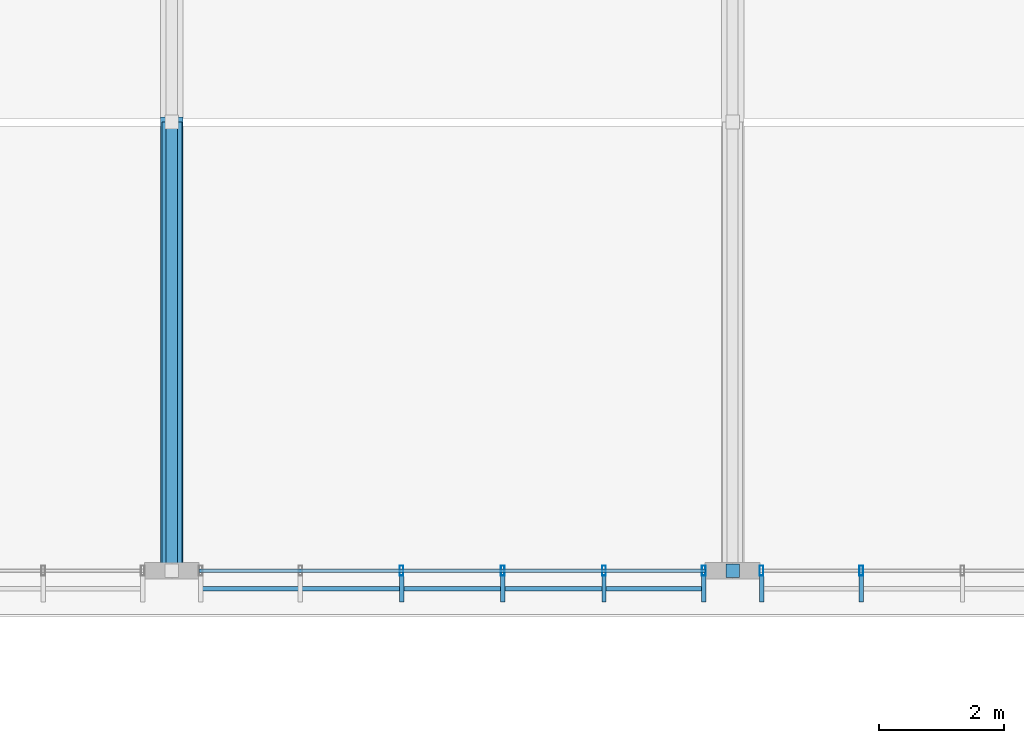
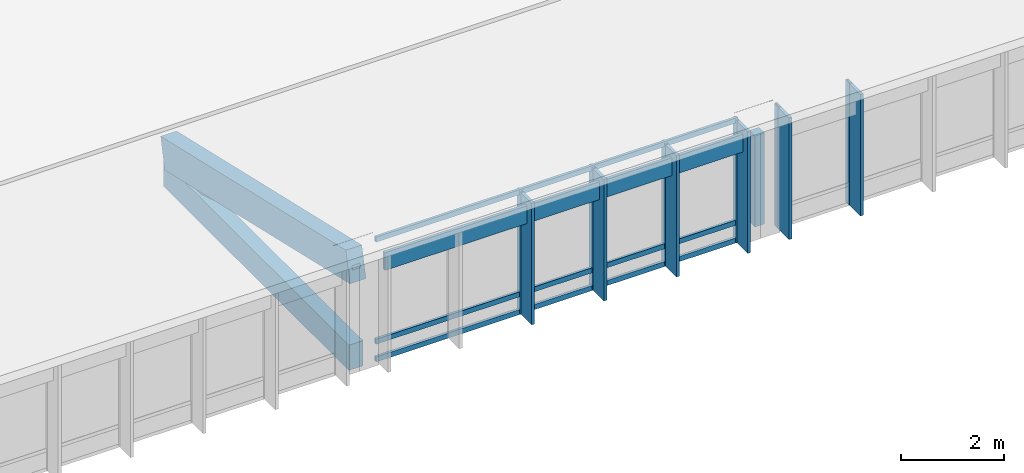
# One storey, part 48 of 182: 20 members, 2 elements without a shape of their own.
"""IFC4 building model written with IfcOpenShell, lengths in metres."""

from ifc_helpers import new_model, si_unit, direction, frame, origin, origin_2d, place, context, subcontext, project, spatial, rectangle, hollow_rectangle, extrude, material, material_profile, profile_set, type_object, element, aggregate, save


model = new_model("IFC4")

# Units and contexts
model_context = context("Model", 3, precision=1e-05, world=origin(), true_north=direction((0.0, 1.0)))
body_context = subcontext(model_context, "Body", "Model", "MODEL_VIEW")
ifc_project = project(units=[si_unit("LENGTHUNIT", "METRE"), si_unit("AREAUNIT", "SQUARE_METRE"), si_unit("VOLUMEUNIT", "CUBIC_METRE"), si_unit("PLANEANGLEUNIT", "RADIAN"), si_unit("MASSUNIT", "GRAM", prefix="KILO")], contexts=[model_context])

# Site, building, storey
site_placement = place(None, origin())
site = spatial("IfcSite", under=ifc_project, at=site_placement, CompositionType="ELEMENT")
building_placement = place(site_placement, origin())
building = spatial("IfcBuilding", under=site, at=building_placement, Name="Chiffa Square Polytechnic", CompositionType="ELEMENT")
storey_placement = place(building_placement, frame((0.0, 0.0, 9.60009765625)))
storey = spatial("IfcBuildingStorey", under=building, at=storey_placement, Name="L02", CompositionType="ELEMENT", Elevation=9.60009765625)

# Curtain wall, members
ifc_material_1 = material(Name="Aluminium EN AW-6060 T66 and glulam shading", Category="wood")
curtain_wall_type_1 = type_object("IfcCurtainWallType", Name="CW-VERT-600X380", PredefinedType="USERDEFINED", material=ifc_material_1)
curtain_wall_1_placement = place(storey_placement, origin())
curtain_wall_1 = element("IfcCurtainWall", 1, at=curtain_wall_1_placement, inside=storey, type_object=curtain_wall_type_1, Name="Curtain wall CW-V4-CLRS-04", ObjectType="CURTAIN WALL", PredefinedType="USERDEFINED")
ifc_material_2 = material(Name="Aluminium EN AW-6060 T66", Category="aluminium")
ifc_material_profile_1 = material_profile(ifc_material_2, hollow_rectangle(XDim=0.06005859375, YDim=0.159912109375, WallThickness=0.00390625, at=origin_2d()), Name="ALU 60x160x4")
ifc_profile_set_1 = profile_set([ifc_material_profile_1], Name="Aluminium EN AW-6060 T66")
member_type_1 = type_object("IfcMemberType", Name="CWM-ALU-65X150", PredefinedType="MULLION", material=ifc_profile_set_1)
member_1_placement = place(storey_placement, frame((79.2880859375, 21.60009765625, 0.039794921875), z_axis=(0.0, 0.0, 1.0), x_axis=(1.0, 0.0, 0.0)))
member_1 = element("IfcMember", 2, at=member_1_placement, type_object=member_type_1, Name="Curtain wall mullion CW-V4-CLRS-04-M02", PredefinedType="MULLION", context=body_context, shape_type="SweptSolid", body=[
    extrude(hollow_rectangle(XDim=0.06005859375, YDim=0.159912109375, WallThickness=0.00390625, at=origin_2d()), origin(), (0.0, 0.0, 1.0), 2.902099609375),
])
member_2_placement = place(storey_placement, frame((80.912109375, 21.60009765625, 0.039794921875), z_axis=(0.0, 0.0, 1.0), x_axis=(1.0, 0.0, 0.0)))
member_2 = element("IfcMember", 3, at=member_2_placement, type_object=member_type_1, Name="Curtain wall mullion CW-V4-CLRS-04-M03", PredefinedType="MULLION", context=body_context, shape_type="SweptSolid", body=[
    extrude(hollow_rectangle(XDim=0.06005859375, YDim=0.159912109375, WallThickness=0.00390625, at=origin_2d()), origin(), (0.0, 0.0, 1.0), 2.902099609375),
])
member_3_placement = place(storey_placement, frame((82.535888671875, 21.60009765625, 0.039794921875), z_axis=(0.0, 0.0, 1.0), x_axis=(1.0, 0.0, 0.0)))
member_3 = element("IfcMember", 4, at=member_3_placement, type_object=member_type_1, Name="Curtain wall mullion CW-V4-CLRS-04-M04", PredefinedType="MULLION", context=body_context, shape_type="SweptSolid", body=[
    extrude(hollow_rectangle(XDim=0.06005859375, YDim=0.159912109375, WallThickness=0.00390625, at=origin_2d()), origin(), (0.0, 0.0, 1.0), 2.902099609375),
])
member_4_placement = place(storey_placement, frame((84.135009765625, 21.60009765625, 0.039794921875), z_axis=(0.0, 0.0, 1.0), x_axis=(1.0, 0.0, 0.0)))
member_4 = element("IfcMember", 5, at=member_4_placement, type_object=member_type_1, Name="Curtain wall mullion CW-V4-CLRS-04-M05", PredefinedType="MULLION", context=body_context, shape_type="SweptSolid", body=[
    extrude(hollow_rectangle(XDim=0.06005859375, YDim=0.159912109375, WallThickness=0.00390625, at=origin_2d()), origin(), (0.0, 0.0, 1.0), 2.902099609375),
])

curtain_wall_type_2 = type_object("IfcCurtainWallType", Name="CW-VERT-360X380", PredefinedType="USERDEFINED", material=ifc_material_1)
curtain_wall_2_placement = place(storey_placement, origin())
curtain_wall_2 = element("IfcCurtainWall", 6, at=curtain_wall_2_placement, inside=storey, type_object=curtain_wall_type_2, Name="Curtain wall CW-V4-CLRS-05", ObjectType="CURTAIN WALL", PredefinedType="USERDEFINED")
member_5_placement = place(storey_placement, frame((85.06494140625, 21.60009765625, 0.039794921875), z_axis=(0.0, 0.0, 1.0), x_axis=(1.0, 0.0, 0.0)))
member_5 = element("IfcMember", 7, at=member_5_placement, type_object=member_type_1, Name="Curtain wall mullion CW-V4-CLRS-05-M00", PredefinedType="MULLION", context=body_context, shape_type="SweptSolid", body=[
    extrude(hollow_rectangle(XDim=0.06005859375, YDim=0.159912109375, WallThickness=0.00390625, at=origin_2d()), origin(), (0.0, 0.0, 1.0), 2.902099609375),
])
member_6_placement = place(storey_placement, frame((86.6640625, 21.60009765625, 0.039794921875), z_axis=(0.0, 0.0, 1.0), x_axis=(1.0, 0.0, 0.0)))
member_6 = element("IfcMember", 8, at=member_6_placement, type_object=member_type_1, Name="Curtain wall mullion CW-V4-CLRS-05-M01", PredefinedType="MULLION", context=body_context, shape_type="SweptSolid", body=[
    extrude(hollow_rectangle(XDim=0.06005859375, YDim=0.159912109375, WallThickness=0.00390625, at=origin_2d()), origin(), (0.0, 0.0, 1.0), 2.902099609375),
])

# Member
ifc_material_3 = material(Name="Glulam GL28h", Category="wood")
ifc_material_profile_2 = material_profile(ifc_material_3, rectangle(XDim=0.070068359375, YDim=0.419921875, at=origin_2d()), Name="GL28h 70x420")
ifc_profile_set_2 = profile_set([ifc_material_profile_2], Name="Glulam GL28h")
member_type_2 = type_object("IfcMemberType", Name="CWM-GL-70X420", PredefinedType="MULLION", material=ifc_profile_set_2)
member_7_placement = place(storey_placement, frame((79.2880859375, 21.30810546875, 0.0498046875), z_axis=(0.0, 0.0, 1.0), x_axis=(1.0, 0.0, 0.0)))
member_7 = element("IfcMember", 9, at=member_7_placement, type_object=member_type_2, Name="Exterior glulam solar fin CW-V4-CLRS-04-FN02", PredefinedType="MULLION", context=body_context, shape_type="SweptSolid", body=[
    extrude(rectangle(XDim=0.070068359375, YDim=0.419921875, at=origin_2d()), origin(), (0.0, 0.0, 1.0), 2.882080078125),
])

member_8_placement = place(storey_placement, frame((80.912109375, 21.30810546875, 0.0498046875), z_axis=(0.0, 0.0, 1.0), x_axis=(1.0, 0.0, 0.0)))
member_8 = element("IfcMember", 10, at=member_8_placement, type_object=member_type_2, Name="Exterior glulam solar fin CW-V4-CLRS-04-FN03", PredefinedType="MULLION", context=body_context, shape_type="SweptSolid", body=[
    extrude(rectangle(XDim=0.070068359375, YDim=0.419921875, at=origin_2d()), origin(), (0.0, 0.0, 1.0), 2.882080078125),
])

member_9_placement = place(storey_placement, frame((82.535888671875, 21.30810546875, 0.0498046875), z_axis=(0.0, 0.0, 1.0), x_axis=(1.0, 0.0, 0.0)))
member_9 = element("IfcMember", 11, at=member_9_placement, type_object=member_type_2, Name="Exterior glulam solar fin CW-V4-CLRS-04-FN04", PredefinedType="MULLION", context=body_context, shape_type="SweptSolid", body=[
    extrude(rectangle(XDim=0.070068359375, YDim=0.419921875, at=origin_2d()), origin(), (0.0, 0.0, 1.0), 2.882080078125),
])

member_10_placement = place(storey_placement, frame((84.135009765625, 21.30810546875, 0.0498046875), z_axis=(0.0, 0.0, 1.0), x_axis=(1.0, 0.0, 0.0)))
member_10 = element("IfcMember", 12, at=member_10_placement, type_object=member_type_2, Name="Exterior glulam solar fin CW-V4-CLRS-04-FN05", PredefinedType="MULLION", context=body_context, shape_type="SweptSolid", body=[
    extrude(rectangle(XDim=0.070068359375, YDim=0.419921875, at=origin_2d()), origin(), (0.0, 0.0, 1.0), 2.882080078125),
])

member_11_placement = place(storey_placement, frame((85.06494140625, 21.30810546875, 0.0498046875), z_axis=(0.0, 0.0, 1.0), x_axis=(1.0, 0.0, 0.0)))
member_11 = element("IfcMember", 13, at=member_11_placement, type_object=member_type_2, Name="Exterior glulam solar fin CW-V4-CLRS-05-FN00", PredefinedType="MULLION", context=body_context, shape_type="SweptSolid", body=[
    extrude(rectangle(XDim=0.070068359375, YDim=0.419921875, at=origin_2d()), origin(), (0.0, 0.0, 1.0), 2.882080078125),
])

member_12_placement = place(storey_placement, frame((86.6640625, 21.30810546875, 0.0498046875), z_axis=(0.0, 0.0, 1.0), x_axis=(1.0, 0.0, 0.0)))
member_12 = element("IfcMember", 14, at=member_12_placement, type_object=member_type_2, Name="Exterior glulam solar fin CW-V4-CLRS-05-FN01", PredefinedType="MULLION", context=body_context, shape_type="SweptSolid", body=[
    extrude(rectangle(XDim=0.070068359375, YDim=0.419921875, at=origin_2d()), origin(), (0.0, 0.0, 1.0), 2.882080078125),
])

aggregate(curtain_wall_2, [member_5, member_11, member_6, member_12])

ifc_material_profile_3 = material_profile(ifc_material_2, hollow_rectangle(XDim=0.06005859375, YDim=0.1201171875, WallThickness=0.00390625, at=origin_2d()), Name="ALU 60x120x4")
ifc_profile_set_3 = profile_set([ifc_material_profile_3], Name="Aluminium EN AW-6060 T66")
member_type_3 = type_object("IfcMemberType", Name="CWT-ALU-65X120", PredefinedType="USERDEFINED", material=ifc_profile_set_3)
member_13_placement = place(storey_placement, frame((76.0380859375, 21.60009765625, 0.06982421875), z_axis=(1.0, 0.0, 0.0), x_axis=(0.0, 1.0, 0.0)))
member_13 = element("IfcMember", 15, at=member_13_placement, type_object=member_type_3, Name="Curtain wall transom CW-V4-CLRS-04-T01", ObjectType="TRANSOM", PredefinedType="USERDEFINED", context=body_context, shape_type="SweptSolid", body=[
    extrude(hollow_rectangle(XDim=0.06005859375, YDim=0.1201171875, WallThickness=0.00390625, at=origin_2d()), origin(), (0.0, 0.0, 1.0), 8.1240234375),
])

member_14_placement = place(storey_placement, frame((76.0380859375, 21.60009765625, 0.489990234375), z_axis=(1.0, 0.0, 0.0), x_axis=(0.0, 1.0, 0.0)))
member_14 = element("IfcMember", 16, at=member_14_placement, type_object=member_type_3, Name="Curtain wall transom CW-V4-CLRS-04-T02", ObjectType="TRANSOM", PredefinedType="USERDEFINED", context=body_context, shape_type="SweptSolid", body=[
    extrude(hollow_rectangle(XDim=0.06005859375, YDim=0.1201171875, WallThickness=0.00390625, at=origin_2d()), origin(), (0.0, 0.0, 1.0), 8.1240234375),
])

member_15_placement = place(storey_placement, frame((76.0380859375, 21.60009765625, 2.911865234375), z_axis=(1.0, 0.0, 0.0), x_axis=(0.0, 1.0, 0.0)))
member_15 = element("IfcMember", 17, at=member_15_placement, type_object=member_type_3, Name="Curtain wall transom CW-V4-CLRS-04-T03", ObjectType="TRANSOM", PredefinedType="USERDEFINED", context=body_context, shape_type="SweptSolid", body=[
    extrude(hollow_rectangle(XDim=0.06005859375, YDim=0.1201171875, WallThickness=0.00390625, at=origin_2d()), origin(), (0.0, 0.0, 1.0), 8.1240234375),
])

ifc_material_profile_4 = material_profile(ifc_material_3, rectangle(XDim=0.070068359375, YDim=0.419921875, at=origin_2d()), Name="GL28h 70x420")
ifc_profile_set_4 = profile_set([ifc_material_profile_4], Name="Glulam GL28h")
member_type_4 = type_object("IfcMemberType", Name="CWT-GL-70X420", PredefinedType="USERDEFINED", material=ifc_profile_set_4)
member_16_placement = place(storey_placement, frame((76.06494140625, 21.30810546875, 2.56201171875), z_axis=(1.0, 0.0, 0.0), x_axis=(0.0, 1.0, 0.0)))
member_16 = element("IfcMember", 18, at=member_16_placement, type_object=member_type_4, Name="Exterior glulam brise-soleil CW-V4-CLRS-04-BS01", ObjectType="TRANSOM", PredefinedType="USERDEFINED", context=body_context, shape_type="SweptSolid", body=[
    extrude(rectangle(XDim=0.070068359375, YDim=0.419921875, at=origin_2d()), origin(), (0.0, 0.0, 1.0), 8.070068359375),
])

aggregate(curtain_wall_1, [member_1, member_7, member_2, member_8, member_3, member_9, member_4, member_10, member_13, member_14, member_15, member_16])

# Members
ifc_material_4 = material(Name="Glulam GL32c", Category="wood")
ifc_material_profile_5 = material_profile(ifc_material_4, rectangle(XDim=0.320068359375, YDim=0.60009765625, at=origin_2d()), Name="GL32c 320x600")
ifc_profile_set_5 = profile_set([ifc_material_profile_5], Name="Glulam GL32c")
member_type_5 = type_object("IfcMemberType", Name="MEM-CHORD-GL320", PredefinedType="CHORD", material=ifc_profile_set_5)
member_17_placement = place(storey_placement, frame((75.60009765625, 21.60009765625, 0.2998046875), z_axis=(0.0, 1.0, 0.0), x_axis=(-1.0, 0.0, 0.0)))
element("IfcMember", 19, at=member_17_placement, inside=storey, type_object=member_type_5, Name="Refectory butterfly bottom chord TCB-V4-S04", PredefinedType="CHORD", context=body_context, shape_type="SweptSolid", body=[
    extrude(rectangle(XDim=0.320068359375, YDim=0.60009765625, at=origin_2d()), origin(), (0.0, 0.0, 1.0), 7.199951171875),
])
ifc_material_profile_6 = material_profile(ifc_material_4, rectangle(XDim=0.360107421875, YDim=0.719970703125, at=origin_2d()), Name="GL32c 360x720")
ifc_profile_set_6 = profile_set([ifc_material_profile_6], Name="Glulam GL32c")
member_type_6 = type_object("IfcMemberType", Name="MEM-CHORD-GL360", PredefinedType="CHORD", material=ifc_profile_set_6)
member_18_placement = place(storey_placement, frame((75.60009765625, 21.60009765625, 2.4619140625), z_axis=(0.0, 0.974373930506, -0.224934309412), x_axis=(-1.0, 0.0, 0.0)))
element("IfcMember", 20, at=member_18_placement, inside=storey, type_object=member_type_6, Name="Refectory butterfly top chord TCT-V4-S04", PredefinedType="CHORD", context=body_context, shape_type="SweptSolid", body=[
    extrude(rectangle(XDim=0.360107421875, YDim=0.719970703125, at=origin_2d()), origin(), (0.0, 0.0, 1.0), 7.389404296875),
])
ifc_material_profile_7 = material_profile(ifc_material_3, rectangle(XDim=0.179931640625, YDim=0.179931640625, at=origin_2d()), Name="GL28h 180x180")
ifc_profile_set_7 = profile_set([ifc_material_profile_7], Name="Glulam GL28h")
member_type_7 = type_object("IfcMemberType", Name="MEM-WEB-GL180", PredefinedType="MEMBER", material=ifc_profile_set_7)
member_19_placement = place(storey_placement, frame((75.60009765625, 21.60009765625, 2.4619140625), z_axis=(0.0, 0.957748486613, -0.287607086821), x_axis=(-1.0, 0.0, 0.0)))
element("IfcMember", 21, at=member_19_placement, inside=storey, type_object=member_type_7, Name="Refectory butterfly diagonal TWD-V4-S04", PredefinedType="MEMBER", context=body_context, shape_type="SweptSolid", body=[
    extrude(rectangle(XDim=0.179931640625, YDim=0.179931640625, at=origin_2d()), origin(), (0.0, 0.0, 1.0), 7.517578125),
])
ifc_material_profile_8 = material_profile(ifc_material_3, rectangle(XDim=0.219970703125, YDim=0.219970703125, at=origin_2d()), Name="GL28h 220x220")
ifc_profile_set_8 = profile_set([ifc_material_profile_8], Name="Glulam GL28h")
member_type_8 = type_object("IfcMemberType", Name="MEM-WEB-GL220", PredefinedType="MEMBER", material=ifc_profile_set_8)
member_20_placement = place(storey_placement, frame((84.60009765625, 21.60009765625, 0.2998046875), z_axis=(0.0, 0.0, 1.0), x_axis=(1.0, 0.0, 0.0)))
element("IfcMember", 22, at=member_20_placement, inside=storey, type_object=member_type_8, Name="Refectory butterfly vertical TWV-V4-S05-1", PredefinedType="MEMBER", context=body_context, shape_type="SweptSolid", body=[
    extrude(rectangle(XDim=0.219970703125, YDim=0.219970703125, at=origin_2d()), origin(), (0.0, 0.0, 1.0), 2.162109375),
])

save(model, "model.ifc")
